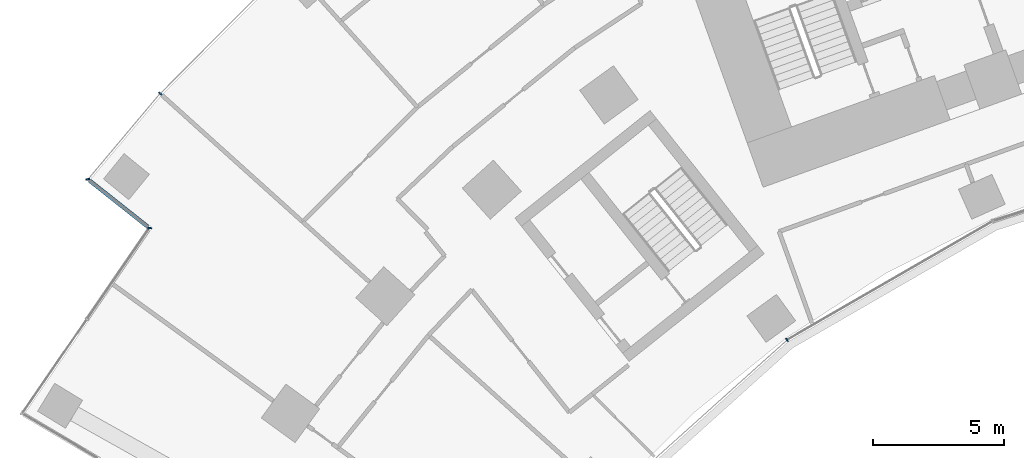
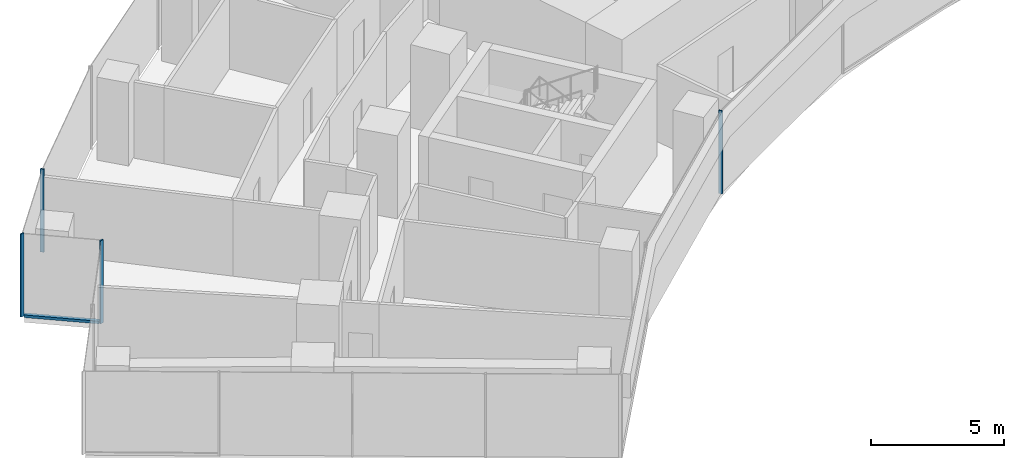
# One storey, part 3 of 21: 5 members, 4 elements without a shape of their own.
"""IFC4 building model written with IfcOpenShell, lengths in metres."""

from ifc_helpers import new_model, si_unit, direction, frame, origin, origin_2d, place, context, subcontext, project, spatial, rectangle, extrude, material, layer, layer_set, material_profile, profile_set, type_object, element, aggregate, save


model = new_model("IFC4")

# Units and contexts
model_context = context("Model", 3, precision=1e-05, world=origin(), true_north=direction((0.0, 1.0)))
body_context = subcontext(model_context, "Body", "Model", "MODEL_VIEW")
ifc_project = project(units=[si_unit("LENGTHUNIT", "METRE"), si_unit("AREAUNIT", "SQUARE_METRE"), si_unit("VOLUMEUNIT", "CUBIC_METRE"), si_unit("PLANEANGLEUNIT", "RADIAN"), si_unit("MASSUNIT", "GRAM", prefix="KILO")], contexts=[model_context])

# Site, building, storey
site_placement = place(None, origin())
site = spatial("IfcSite", under=ifc_project, at=site_placement, CompositionType="ELEMENT")
building_placement = place(site_placement, origin())
building = spatial("IfcBuilding", under=site, at=building_placement, Name="Stone Belt Terrace Tower", CompositionType="ELEMENT")
storey_placement = place(building_placement, frame((0.0, 0.0, 49.0)))
storey = spatial("IfcBuildingStorey", under=building, at=storey_placement, Name="L11", CompositionType="ELEMENT", Elevation=49.0)

# Curtain wall, member
ifc_material = material(Name="Aluminium 6063-T6 anodised frame", Category="aluminium")
ifc_layer_1 = layer(ifc_material, 0.14990234375)
ifc_layer_set_1 = layer_set([ifc_layer_1], Name="CW-A unitised convex-face curtain wall")
curtain_wall_type_1 = type_object("IfcCurtainWallType", Name="CW-A unitised convex-face curtain wall", PredefinedType="NOTDEFINED", material=ifc_layer_set_1)
curtain_wall_1_placement = place(storey_placement, origin())
curtain_wall_1 = element("IfcCurtainWall", 1, at=curtain_wall_1_placement, inside=storey, type_object=curtain_wall_type_1, Name="CW-A convex face L11", PredefinedType="NOTDEFINED")
ifc_material_profile_1 = material_profile(ifc_material, rectangle(XDim=0.14990234375, YDim=0.06005859375, at=origin_2d()), Name="Aluminium 6063-T6 60x150")
ifc_profile_set_1 = profile_set([ifc_material_profile_1], Name="Aluminium 6063-T6 anodised frame")
member_type_1 = type_object("IfcMemberType", Name="CW-A mullion 60 x 150", PredefinedType="MULLION", material=ifc_profile_set_1)
member_1_placement = place(storey_placement, frame((-49.474365234375, 44.548095703125, 0.0), z_axis=(0.0, 0.0, 1.0), x_axis=(0.73617076011, -0.676795842155, 0.0)))
member_1 = element("IfcMember", 2, at=member_1_placement, type_object=member_type_1, Name="CW-A mullion 18", PredefinedType="MULLION", context=body_context, shape_type="SweptSolid", body=[
    extrude(rectangle(XDim=0.14990234375, YDim=0.06005859375, at=origin_2d()), origin(), (0.0, 0.0, 1.0), 3.800048828125),
])
aggregate(curtain_wall_1, [member_1])

ifc_layer_2 = layer(ifc_material, 0.14990234375)
ifc_layer_set_2 = layer_set([ifc_layer_2], Name="CW-B unitised concave-face curtain wall")
curtain_wall_type_2 = type_object("IfcCurtainWallType", Name="CW-B unitised concave-face curtain wall", PredefinedType="NOTDEFINED", material=ifc_layer_set_2)
curtain_wall_2_placement = place(storey_placement, origin())
curtain_wall_2 = element("IfcCurtainWall", 3, at=curtain_wall_2_placement, inside=storey, type_object=curtain_wall_type_2, Name="CW-B concave face L11", PredefinedType="NOTDEFINED")
ifc_material_profile_2 = material_profile(ifc_material, rectangle(XDim=0.14990234375, YDim=0.050048828125, at=origin_2d()), Name="Aluminium 6063-T6 50x150")
ifc_profile_set_2 = profile_set([ifc_material_profile_2], Name="Aluminium 6063-T6 anodised frame")
member_type_2 = type_object("IfcMemberType", Name="CW-B mullion 50 x 150", PredefinedType="MULLION", material=ifc_profile_set_2)
member_2_placement = place(storey_placement, frame((-25.5244140625, 35.13134765625, 0.0), z_axis=(0.0, 0.0, 1.0), x_axis=(-0.587785252292, 0.809016994375, 0.0)))
member_2 = element("IfcMember", 4, at=member_2_placement, type_object=member_type_2, Name="CW-B mullion 3", PredefinedType="MULLION", context=body_context, shape_type="SweptSolid", body=[
    extrude(rectangle(XDim=0.14990234375, YDim=0.050048828125, at=origin_2d()), origin(), (0.0, 0.0, 1.0), 3.800048828125),
])
aggregate(curtain_wall_2, [member_2])

ifc_layer_3 = layer(ifc_material, 0.14990234375)
ifc_layer_set_3 = layer_set([ifc_layer_3], Name="CW-C stick curtain wall, horn ends and notches")
curtain_wall_type_3 = type_object("IfcCurtainWallType", Name="CW-C stick curtain wall, horn ends and notches", PredefinedType="NOTDEFINED", material=ifc_layer_set_3)
curtain_wall_3_placement = place(storey_placement, origin())
curtain_wall_3 = element("IfcCurtainWall", 5, at=curtain_wall_3_placement, inside=storey, type_object=curtain_wall_type_3, Name="CW-C notch face L11", PredefinedType="NOTDEFINED")
ifc_material_profile_3 = material_profile(ifc_material, rectangle(XDim=0.14990234375, YDim=0.06005859375, at=origin_2d()), Name="Aluminium 6063-T6 60x150")
ifc_profile_set_3 = profile_set([ifc_material_profile_3], Name="Aluminium 6063-T6 anodised frame")
member_type_3 = type_object("IfcMemberType", Name="CW-C mullion 60 x 150", PredefinedType="MULLION", material=ifc_profile_set_3)
member_3_placement = place(storey_placement, frame((-52.24072265625, 41.27294921875, 0.0), z_axis=(0.0, 0.0, 1.0), x_axis=(0.995023084308, 0.099644677203, 0.0)))
member_3 = element("IfcMember", 6, at=member_3_placement, type_object=member_type_3, Name="CW-C mullion 1", PredefinedType="MULLION", context=body_context, shape_type="SweptSolid", body=[
    extrude(rectangle(XDim=0.14990234375, YDim=0.06005859375, at=origin_2d()), origin(), (0.0, 0.0, 1.0), 3.800048828125),
])

curtain_wall_4_placement = place(storey_placement, origin())
curtain_wall_4 = element("IfcCurtainWall", 7, at=curtain_wall_4_placement, inside=storey, type_object=curtain_wall_type_3, Name="CW-C notch face L11", PredefinedType="NOTDEFINED")
member_4_placement = place(storey_placement, frame((-49.88330078125, 39.406005859375, 0.0), z_axis=(0.0, 0.0, 1.0), x_axis=(0.988851375203, 0.14890586879, 0.0)))
member_4 = element("IfcMember", 8, at=member_4_placement, type_object=member_type_3, Name="CW-C mullion 1", PredefinedType="MULLION", context=body_context, shape_type="SweptSolid", body=[
    extrude(rectangle(XDim=0.14990234375, YDim=0.06005859375, at=origin_2d()), origin(), (0.0, 0.0, 1.0), 3.800048828125),
])
aggregate(curtain_wall_4, [member_4])

# Member
ifc_material_profile_4 = material_profile(ifc_material, rectangle(XDim=0.14990234375, YDim=0.1201171875, at=origin_2d()), Name="Aluminium 6063-T6 150x120")
ifc_profile_set_4 = profile_set([ifc_material_profile_4], Name="Aluminium 6063-T6 anodised frame")
member_type_4 = type_object("IfcMemberType", Name="CW-C transom 120 x 150", PredefinedType="USERDEFINED", material=ifc_profile_set_4)
member_5_placement = place(storey_placement, frame((-52.18212890625, 41.2265625, 0.06005859375), z_axis=(0.783966177893, -0.620803537297, 0.0), x_axis=(0.620803537297, 0.783966177893, 0.0)))
member_5 = element("IfcMember", 9, at=member_5_placement, type_object=member_type_4, Name="CW-C transom 1.1", ObjectType="TRANSOM", PredefinedType="USERDEFINED", context=body_context, shape_type="SweptSolid", body=[
    extrude(rectangle(XDim=0.14990234375, YDim=0.1201171875, at=origin_2d()), origin(), (0.0, 0.0, 1.0), 2.859375),
])

aggregate(curtain_wall_3, [member_3, member_5])

save(model, "model.ifc")
